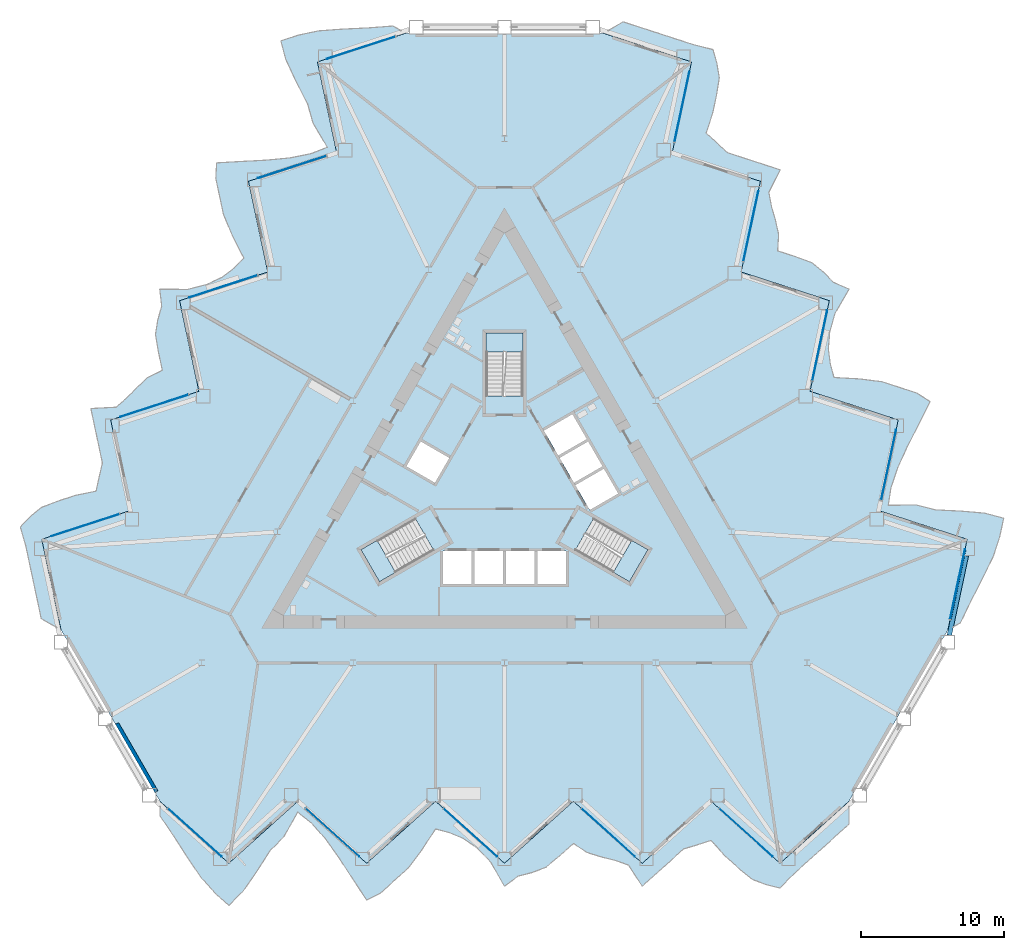
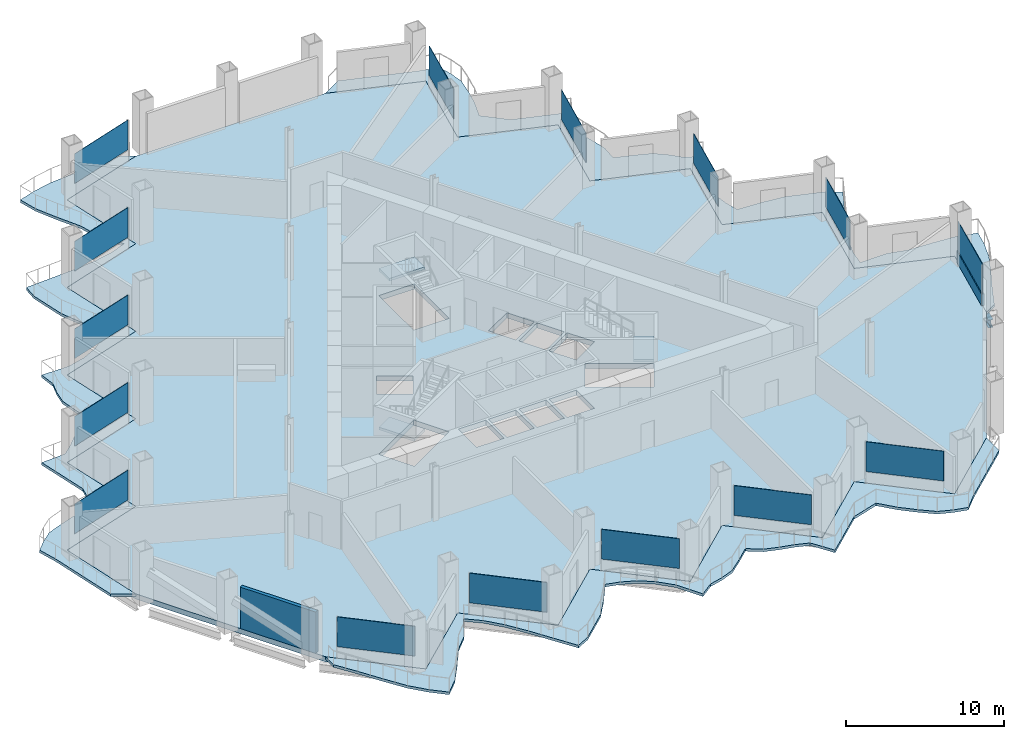
# One storey, part 8 of 20: 15 plates, 7 slabs, 1 beam, 1 member, 1 wall, 18 elements without a shape of their own.
"""IFC4 building model written with IfcOpenShell, lengths in metres."""

from ifc_helpers import new_model, si_unit, direction, frame, frame_2d, origin, origin_2d, place, context, subcontext, project, spatial, polyline, rectangle, i_section, outline, extrude, material, layer, layer_set, material_profile, profile_set, type_object, element, aggregate, save


model = new_model("IFC4")

# Units and contexts
model_context = context("Model", 3, precision=1e-05, world=origin(), true_north=direction((0.0, 1.0)))
body_context = subcontext(model_context, "Body", "Model", "MODEL_VIEW")
ifc_project = project(units=[si_unit("LENGTHUNIT", "METRE"), si_unit("AREAUNIT", "SQUARE_METRE"), si_unit("VOLUMEUNIT", "CUBIC_METRE"), si_unit("PLANEANGLEUNIT", "RADIAN"), si_unit("MASSUNIT", "GRAM", prefix="KILO")], contexts=[model_context])

# Site, building, storey
site_placement = place(None, origin())
site = spatial("IfcSite", under=ifc_project, at=site_placement, CompositionType="ELEMENT")
building_placement = place(site_placement, origin())
building = spatial("IfcBuilding", under=site, at=building_placement, Name="Cormorant Prow Tower", CompositionType="ELEMENT")
storey_placement = place(building_placement, frame((0.0, 0.0, 34.199951171875)))
storey = spatial("IfcBuildingStorey", under=building, at=storey_placement, Name="L06", CompositionType="ELEMENT", Elevation=34.199951171875)

# Curtain wall, member
ifc_material_1 = material(Name="Aluminium 6063-T6", Category="aluminium")
ifc_layer_1 = layer(ifc_material_1, 0.199951171875)
ifc_layer_set_1 = layer_set([ifc_layer_1], Name="Aluminium 6063-T6")
curtain_wall_type = type_object("IfcCurtainWallType", Name="Office unitised curtain wall 200", PredefinedType="NOTDEFINED", material=ifc_layer_set_1)
curtain_wall_1_placement = place(storey_placement, origin())
curtain_wall_1 = element("IfcCurtainWall", 1, at=curtain_wall_1_placement, inside=storey, type_object=curtain_wall_type, Name="Office curtain wall ENE00", PredefinedType="NOTDEFINED")
ifc_material_2 = material(Name="Terracotta", Category="masonry")
ifc_material_profile_1 = material_profile(ifc_material_2, rectangle(XDim=0.159912109375, YDim=0.89990234375, at=origin_2d()), Name="Office terracotta spandrel rail 160x900")
ifc_profile_set_1 = profile_set([ifc_material_profile_1], Name="Terracotta")
member_type = type_object("IfcMemberType", Name="Office terracotta spandrel rail 160x900", PredefinedType="USERDEFINED", material=ifc_profile_set_1)
member_placement = place(storey_placement, frame((31.15869140625, -9.169921875, 0.449951171875), z_axis=(0.20790357337, 0.978149326115, 0.0), x_axis=(-0.978149326115, 0.20790357337, 0.0)))
member = element("IfcMember", 2, at=member_placement, type_object=member_type, Name="Office spandrel rail ENE00", ObjectType="TRANSOM", PredefinedType="USERDEFINED", context=body_context, shape_type="SweptSolid", body=[
    extrude(rectangle(XDim=0.159912109375, YDim=0.89990234375, at=origin_2d()), origin(), (0.0, 0.0, 1.0), 5.0166015625),
])

# Beam
ifc_material_3 = material(Name="Structural steel ASTM A992 Gr 50", Category="steel")
ifc_material_profile_2 = material_profile(ifc_material_3, i_section(OverallWidth=0.32373046875, OverallDepth=0.611083984375, WebThickness=0.0126953125, FlangeThickness=0.01904296875, at=origin_2d()), Name="W24x104")
ifc_profile_set_2 = profile_set([ifc_material_profile_2], Name="Structural steel ASTM A992 Gr 50")
beam_type = type_object("IfcBeamType", Name="Spandrel beam W24x104", PredefinedType="SPANDREL", material=ifc_profile_set_2)
beam_placement = place(storey_placement, frame((31.10400390625, -10.28466796875, -0.70556640625), z_axis=(0.207900376723, 0.97815000555, 0.0), x_axis=(-0.97815000555, 0.207900376723, 0.0)))
element("IfcBeam", 3, at=beam_placement, inside=storey, type_object=beam_type, Name="Spandrel beam SB1 ENE00-ENE01 L06", PredefinedType="SPANDREL", context=body_context, shape_type="SweptSolid", body=[
    extrude(i_section(OverallWidth=0.32373046875, OverallDepth=0.611083984375, WebThickness=0.0126953125, FlangeThickness=0.01904296875, at=origin_2d()), origin(), (0.0, 0.0, 1.0), 5.6826171875),
])

# Slabs
ifc_material_4 = material(Name="Concrete C40/50", Category="concrete")
ifc_layer_2 = layer(ifc_material_4, 0.199951171875)
ifc_layer_set_2 = layer_set([ifc_layer_2], Name="Concrete C40/50")
slab_type_1 = type_object("IfcSlabType", Name="Balcony slab 200", PredefinedType="FLOOR", material=ifc_layer_set_2)
slab_1_placement = place(storey_placement, frame((0.0, 0.0, -0.199951171875)))
element("IfcSlab", 4, at=slab_1_placement, inside=storey, type_object=slab_type_1, Name="Balcony slab S L06", PredefinedType="FLOOR", context=body_context, shape_type="SweptSolid", body=[
    extrude(outline(polyline([(-24.087890625, -21.888671875), (-24.087890625, -22.90478515625), (-23.124267578125, -24.315185546875), (-22.16064453125, -25.812255859375), (-21.197265625, -27.236083984375), (-20.233642578125, -28.308837890625), (-19.270263671875, -29.17626953125), (-18.306640625, -28.2158203125), (-17.34326171875, -26.835205078125), (-16.379638671875, -25.341552734375), (-15.416259765625, -24.356201171875), (-14.45263671875, -22.640380859375), (-13.4892578125, -23.412841796875), (-12.525634765625, -24.50048828125), (-11.56201171875, -25.847900390625), (-10.5986328125, -27.3330078125), (-9.635009765625, -28.799560546875), (-8.671630859375, -28.308837890625), (-7.7080078125, -27.441162109375), (-6.74462890625, -26.57373046875), (-5.781005859375, -25.294921875), (-4.817626953125, -23.82275390625), (-3.85400390625, -24.076904296875), (-2.890625, -24.47802734375), (-1.927001953125, -25.144287109375), (-0.963623046875, -26.127197265625), (0.0, -27.826416015625), (0.963623046875, -27.11669921875), (1.927001953125, -26.87255859375), (2.890625, -26.50634765625), (3.85400390625, -25.706298828125), (4.817626953125, -24.838623046875), (5.781005859375, -25.470703125), (6.74462890625, -25.77294921875), (7.7080078125, -26.01171875), (8.671630859375, -26.346923828125), (9.635009765625, -27.826416015625), (10.5986328125, -26.958740234375), (11.56201171875, -26.09130859375), (12.525634765625, -25.2236328125), (13.4892578125, -24.93115234375), (14.45263671875, -24.623046875), (15.416259765625, -25.706298828125), (16.379638671875, -26.57373046875), (17.34326171875, -27.357177734375), (18.306640625, -27.715576171875), (19.270263671875, -27.9580078125), (20.233642578125, -26.958740234375), (21.197265625, -26.09130859375), (22.16064453125, -25.2236328125), (23.124267578125, -24.356201171875), (24.087890625, -23.488525390625), (24.087890625, -21.888671875), (23.124267578125, -22.756103515625), (22.16064453125, -23.623779296875), (21.197265625, -24.4912109375), (20.233642578125, -25.35888671875), (19.270263671875, -26.226318359375), (18.306640625, -25.35888671875), (17.34326171875, -24.4912109375), (16.379638671875, -23.623779296875), (15.416259765625, -22.756103515625), (14.45263671875, -21.888671875), (13.4892578125, -22.756103515625), (12.525634765625, -23.623779296875), (11.56201171875, -24.4912109375), (10.5986328125, -25.35888671875), (9.635009765625, -26.226318359375), (8.671630859375, -25.35888671875), (7.7080078125, -24.4912109375), (6.74462890625, -23.623779296875), (5.781005859375, -22.756103515625), (4.817626953125, -21.888671875), (3.85400390625, -22.756103515625), (2.890625, -23.623779296875), (1.927001953125, -24.4912109375), (0.963623046875, -25.35888671875), (0.0, -26.226318359375), (-0.963623046875, -25.35888671875), (-1.927001953125, -24.4912109375), (-2.890625, -23.623779296875), (-3.85400390625, -22.756103515625), (-4.817626953125, -21.888671875), (-5.781005859375, -22.756103515625), (-6.74462890625, -23.623779296875), (-7.7080078125, -24.4912109375), (-8.671630859375, -25.35888671875), (-9.635009765625, -26.226318359375), (-10.5986328125, -25.35888671875), (-11.56201171875, -24.4912109375), (-12.525634765625, -23.623779296875), (-13.4892578125, -22.756103515625), (-14.45263671875, -21.888671875), (-15.416259765625, -22.756103515625), (-16.379638671875, -23.623779296875), (-17.34326171875, -24.4912109375), (-18.306640625, -25.35888671875), (-19.270263671875, -26.226318359375), (-20.233642578125, -25.35888671875), (-21.197265625, -24.4912109375), (-22.16064453125, -23.623779296875), (-23.124267578125, -22.756103515625), (-24.087890625, -21.888671875)])), origin(), (0.0, 0.0, 1.0), 0.199951171875),
])
slab_2_placement = place(storey_placement, frame((0.0, 0.0, -0.199951171875)))
element("IfcSlab", 5, at=slab_2_placement, inside=storey, type_object=slab_type_1, Name="Balcony slab ENE L06", PredefinedType="FLOOR", context=body_context, shape_type="SweptSolid", body=[
    extrude(outline(polyline([(31.0, -9.916259765625), (31.8798828125, -9.408203125), (32.61962890625, -7.86865234375), (33.434326171875, -6.28564453125), (34.185791015625, -4.7392578125), (34.633056640625, -3.368408203125), (34.902587890625, -2.100341796875), (33.589111328125, -1.74609375), (31.911376953125, -1.60205078125), (30.136474609375, -1.514404296875), (28.80126953125, -1.172607421875), (26.83349609375, -1.1962890625), (27.020751953125, 0.0244140625), (27.48095703125, 1.40283203125), (28.166015625, 2.910888671875), (28.970458984375, 4.48779296875), (29.758544921875, 6.055419921875), (28.85205078125, 6.64453125), (27.618896484375, 7.045166015625), (26.3857421875, 7.44580078125), (24.796630859375, 7.640869140625), (23.039794921875, 7.7392578125), (22.778076171875, 8.70068359375), (22.643798828125, 9.735595703125), (22.7392578125, 10.9033203125), (23.1083984375, 12.229248046875), (24.098388671875, 13.9130859375), (23.001953125, 14.392822265625), (22.308837890625, 15.105224609375), (21.509765625, 15.75634765625), (20.335205078125, 16.190673828125), (19.10205078125, 16.591552734375), (19.167724609375, 17.741943359375), (18.94775390625, 18.727294921875), (18.6728515625, 19.681396484375), (18.481201171875, 20.683349609375), (19.28076171875, 22.25732421875), (18.047607421875, 22.658203125), (16.814697265625, 23.058837890625), (15.58154296875, 23.45947265625), (14.846435546875, 24.1474609375), (14.097900390625, 24.827880859375), (14.55419921875, 26.203857421875), (14.82373046875, 27.47216796875), (15.0205078125, 28.6982421875), (14.84912109375, 29.7119140625), (14.577392578125, 30.66748046875), (13.230224609375, 31.00244140625), (11.9970703125, 31.403076171875), (10.763916015625, 31.8037109375), (9.531005859375, 32.204345703125), (8.2978515625, 32.60498046875), (6.912109375, 31.804931640625), (8.145263671875, 31.404296875), (9.37841796875, 31.003662109375), (10.611572265625, 30.60302734375), (11.844482421875, 30.202392578125), (13.07763671875, 29.8017578125), (12.80810546875, 28.533447265625), (12.53857421875, 27.265380859375), (12.268798828125, 25.9970703125), (11.999267578125, 24.72900390625), (11.729736328125, 23.460693359375), (12.962890625, 23.06005859375), (14.196044921875, 22.659423828125), (15.428955078125, 22.2587890625), (16.662109375, 21.858154296875), (17.895263671875, 21.45751953125), (17.62548828125, 20.189208984375), (17.35595703125, 18.921142578125), (17.08642578125, 17.65283203125), (16.81689453125, 16.384521484375), (16.54736328125, 15.116455078125), (17.780517578125, 14.7158203125), (19.013427734375, 14.315185546875), (20.24658203125, 13.91455078125), (21.479736328125, 13.513916015625), (22.712646484375, 13.11328125), (22.443115234375, 11.844970703125), (22.173583984375, 10.576904296875), (21.904052734375, 9.30859375), (21.634521484375, 8.040283203125), (21.364990234375, 6.772216796875), (22.597900390625, 6.37158203125), (23.8310546875, 5.970947265625), (25.064208984375, 5.5703125), (26.297119140625, 5.169677734375), (27.5302734375, 4.76904296875), (27.2607421875, 3.500732421875), (26.9912109375, 2.232421875), (26.7216796875, 0.96435546875), (26.451904296875, -0.303955078125), (26.182373046875, -1.572021484375), (27.41552734375, -1.97265625), (28.648681640625, -2.373291015625), (29.881591796875, -2.77392578125), (31.11474609375, -3.174560546875), (32.347900390625, -3.5751953125), (32.078369140625, -4.843505859375), (31.80859375, -6.11181640625), (31.5390625, -7.3798828125), (31.26953125, -8.648193359375), (31.0, -9.916259765625)])), origin(), (0.0, 0.0, 1.0), 0.199951171875),
])
slab_3_placement = place(storey_placement, frame((0.0, 0.0, -0.199951171875)))
element("IfcSlab", 6, at=slab_3_placement, inside=storey, type_object=slab_type_1, Name="Balcony slab WNW L06", PredefinedType="FLOOR", context=body_context, shape_type="SweptSolid", body=[
    extrude(outline(polyline([(-6.912109375, 31.804931640625), (-7.792236328125, 32.31298828125), (-9.49560546875, 32.183837890625), (-11.273681640625, 32.097900390625), (-12.988525390625, 31.975341796875), (-14.3994140625, 31.67724609375), (-15.63232421875, 31.276611328125), (-15.282470703125, 29.962158203125), (-14.568359375, 28.437255859375), (-13.756591796875, 26.85595703125), (-13.385009765625, 25.52880859375), (-12.380859375, 23.836669921875), (-13.531494140625, 23.388427734375), (-14.955322265625, 23.097900390625), (-16.60400390625, 22.93701171875), (-18.371826171875, 22.84521484375), (-20.12353515625, 22.743896484375), (-20.180419921875, 21.664306640625), (-19.910888671875, 20.39599609375), (-19.641357421875, 19.1279296875), (-19.015625, 17.654052734375), (-18.22216796875, 16.08349609375), (-18.924072265625, 15.376220703125), (-19.753173828125, 14.7421875), (-20.812255859375, 14.240966796875), (-22.14501953125, 13.89794921875), (-24.098388671875, 13.9130859375), (-23.965576171875, 12.723876953125), (-24.23583984375, 11.767333984375), (-24.400390625, 10.749755859375), (-24.189208984375, 9.515380859375), (-23.919677734375, 8.247314453125), (-24.948974609375, 7.728759765625), (-25.692138671875, 7.04541015625), (-26.380859375, 6.33056640625), (-27.15283203125, 5.66357421875), (-28.916015625, 5.56884765625), (-28.646240234375, 4.30078125), (-28.376708984375, 3.032470703125), (-28.107177734375, 1.764404296875), (-28.33544921875, 0.78369140625), (-28.550537109375, -0.204833984375), (-29.97021484375, -0.497802734375), (-31.203369140625, -0.8984375), (-32.36376953125, -1.341064453125), (-33.15576171875, -1.996337890625), (-33.847412109375, -2.70947265625), (-33.4638671875, -4.04345703125), (-33.1943359375, -5.311767578125), (-32.9248046875, -6.579833984375), (-32.6552734375, -7.84814453125), (-32.3857421875, -9.1162109375), (-31.0, -9.916259765625), (-31.26953125, -8.648193359375), (-31.5390625, -7.3798828125), (-31.80859375, -6.11181640625), (-32.078369140625, -4.843505859375), (-32.347900390625, -3.5751953125), (-31.11474609375, -3.174560546875), (-29.881591796875, -2.77392578125), (-28.648681640625, -2.373291015625), (-27.41552734375, -1.97265625), (-26.182373046875, -1.572021484375), (-26.451904296875, -0.303955078125), (-26.7216796875, 0.96435546875), (-26.9912109375, 2.232421875), (-27.2607421875, 3.500732421875), (-27.5302734375, 4.76904296875), (-26.297119140625, 5.169677734375), (-25.064208984375, 5.5703125), (-23.8310546875, 5.970947265625), (-22.597900390625, 6.37158203125), (-21.364990234375, 6.772216796875), (-21.634521484375, 8.040283203125), (-21.904052734375, 9.30859375), (-22.173583984375, 10.576904296875), (-22.443115234375, 11.844970703125), (-22.712646484375, 13.11328125), (-21.479736328125, 13.513916015625), (-20.24658203125, 13.91455078125), (-19.013427734375, 14.315185546875), (-17.780517578125, 14.7158203125), (-16.54736328125, 15.116455078125), (-16.81689453125, 16.384521484375), (-17.08642578125, 17.65283203125), (-17.35595703125, 18.921142578125), (-17.62548828125, 20.189208984375), (-17.895263671875, 21.45751953125), (-16.662109375, 21.858154296875), (-15.428955078125, 22.2587890625), (-14.196044921875, 22.659423828125), (-12.962890625, 23.06005859375), (-11.729736328125, 23.460693359375), (-11.999267578125, 24.72900390625), (-12.268798828125, 25.9970703125), (-12.53857421875, 27.265380859375), (-12.80810546875, 28.533447265625), (-13.07763671875, 29.8017578125), (-11.844482421875, 30.202392578125), (-10.611572265625, 30.60302734375), (-9.37841796875, 31.003662109375), (-8.145263671875, 31.404296875), (-6.912109375, 31.804931640625)])), origin(), (0.0, 0.0, 1.0), 0.199951171875),
])

# Curtain wall, plate
curtain_wall_2_placement = place(storey_placement, origin())
curtain_wall_2 = element("IfcCurtainWall", 7, at=curtain_wall_2_placement, inside=storey, type_object=curtain_wall_type, Name="Office curtain wall S00", PredefinedType="NOTDEFINED")
ifc_material_5 = material(Name="Clear glass", Category="glass")
ifc_layer_3 = layer(ifc_material_5, 0.031982421875)
ifc_layer_set_3 = layer_set([ifc_layer_3], Name="Clear glass")
plate_type = type_object("IfcPlateType", Name="Office glass panel 32", PredefinedType="CURTAIN_PANEL", material=ifc_layer_set_3)
plate_1_placement = place(storey_placement, frame((-21.65673828125, -24.07763671875, 0.89990234375), z_axis=(0.0, 0.0, 1.0), x_axis=(0.743144833547, -0.669130597396, 0.0)))
plate_1 = element("IfcPlate", 8, at=plate_1_placement, type_object=plate_type, Name="Office glass panel S00", PredefinedType="CURTAIN_PANEL", context=body_context, shape_type="SweptSolid", body=[
    extrude(rectangle(XDim=5.0166015625, YDim=0.031982421875, at=origin_2d()), origin(), (0.0, 0.0, 1.0), 2.288818359375),
])
aggregate(curtain_wall_2, [plate_1])

curtain_wall_3_placement = place(storey_placement, origin())
curtain_wall_3 = element("IfcCurtainWall", 9, at=curtain_wall_3_placement, inside=storey, type_object=curtain_wall_type, Name="Office curtain wall S02", PredefinedType="NOTDEFINED")
plate_2_placement = place(storey_placement, frame((-12.021484375, -24.07763671875, 0.89990234375), z_axis=(0.0, 0.0, 1.0), x_axis=(0.743144902614, -0.66913052069, 0.0)))
plate_2 = element("IfcPlate", 10, at=plate_2_placement, type_object=plate_type, Name="Office glass panel S02", PredefinedType="CURTAIN_PANEL", context=body_context, shape_type="SweptSolid", body=[
    extrude(rectangle(XDim=5.0166015625, YDim=0.031982421875, at=origin_2d()), origin(), (0.0, 0.0, 1.0), 2.288818359375),
])
aggregate(curtain_wall_3, [plate_2])

curtain_wall_4_placement = place(storey_placement, origin())
curtain_wall_4 = element("IfcCurtainWall", 11, at=curtain_wall_4_placement, inside=storey, type_object=curtain_wall_type, Name="Office curtain wall S04", PredefinedType="NOTDEFINED")
plate_3_placement = place(storey_placement, frame((-2.386474609375, -24.07763671875, 0.89990234375), z_axis=(0.0, 0.0, 1.0), x_axis=(0.743144833547, -0.669130597396, 0.0)))
plate_3 = element("IfcPlate", 12, at=plate_3_placement, type_object=plate_type, Name="Office glass panel S04", PredefinedType="CURTAIN_PANEL", context=body_context, shape_type="SweptSolid", body=[
    extrude(rectangle(XDim=5.0166015625, YDim=0.031982421875, at=origin_2d()), origin(), (0.0, 0.0, 1.0), 2.288818359375),
])
aggregate(curtain_wall_4, [plate_3])

curtain_wall_5_placement = place(storey_placement, origin())
curtain_wall_5 = element("IfcCurtainWall", 13, at=curtain_wall_5_placement, inside=storey, type_object=curtain_wall_type, Name="Office curtain wall S06", PredefinedType="NOTDEFINED")
plate_4_placement = place(storey_placement, frame((7.24853515625, -24.07763671875, 0.89990234375), z_axis=(0.0, 0.0, 1.0), x_axis=(0.743144833547, -0.669130597396, 0.0)))
plate_4 = element("IfcPlate", 14, at=plate_4_placement, type_object=plate_type, Name="Office glass panel S06", PredefinedType="CURTAIN_PANEL", context=body_context, shape_type="SweptSolid", body=[
    extrude(rectangle(XDim=5.0166015625, YDim=0.031982421875, at=origin_2d()), origin(), (0.0, 0.0, 1.0), 2.288818359375),
])
aggregate(curtain_wall_5, [plate_4])

curtain_wall_6_placement = place(storey_placement, origin())
curtain_wall_6 = element("IfcCurtainWall", 15, at=curtain_wall_6_placement, inside=storey, type_object=curtain_wall_type, Name="Office curtain wall S08", PredefinedType="NOTDEFINED")
plate_5_placement = place(storey_placement, frame((16.8837890625, -24.07763671875, 0.89990234375), z_axis=(0.0, 0.0, 1.0), x_axis=(0.743144833547, -0.669130597396, 0.0)))
plate_5 = element("IfcPlate", 16, at=plate_5_placement, type_object=plate_type, Name="Office glass panel S08", PredefinedType="CURTAIN_PANEL", context=body_context, shape_type="SweptSolid", body=[
    extrude(rectangle(XDim=5.0166015625, YDim=0.031982421875, at=origin_2d()), origin(), (0.0, 0.0, 1.0), 2.288818359375),
])
aggregate(curtain_wall_6, [plate_5])

# Plate
plate_6_placement = place(storey_placement, frame((31.68017578125, -6.716552734375, 0.89990234375), z_axis=(0.0, 0.0, 1.0), x_axis=(0.207911761683, 0.978147585671, 0.0)))
plate_6 = element("IfcPlate", 17, at=plate_6_placement, type_object=plate_type, Name="Office glass panel ENE00", PredefinedType="CURTAIN_PANEL", context=body_context, shape_type="SweptSolid", body=[
    extrude(rectangle(XDim=5.0166015625, YDim=0.031982421875, at=origin_2d()), origin(), (0.0, 0.0, 1.0), 2.288818359375),
])

aggregate(curtain_wall_1, [member, plate_6])

# Curtain wall, plate
curtain_wall_7_placement = place(storey_placement, origin())
curtain_wall_7 = element("IfcCurtainWall", 18, at=curtain_wall_7_placement, inside=storey, type_object=curtain_wall_type, Name="Office curtain wall ENE02", PredefinedType="NOTDEFINED")
plate_7_placement = place(storey_placement, frame((26.862548828125, 1.627685546875, 0.89990234375), z_axis=(0.0, 0.0, 1.0), x_axis=(0.207911614097, 0.978147617041, 0.0)))
plate_7 = element("IfcPlate", 19, at=plate_7_placement, type_object=plate_type, Name="Office glass panel ENE02", PredefinedType="CURTAIN_PANEL", context=body_context, shape_type="SweptSolid", body=[
    extrude(rectangle(XDim=5.0166015625, YDim=0.031982421875, at=origin_2d()), origin(), (0.0, 0.0, 1.0), 2.288818359375),
])
aggregate(curtain_wall_7, [plate_7])

curtain_wall_8_placement = place(storey_placement, origin())
curtain_wall_8 = element("IfcCurtainWall", 20, at=curtain_wall_8_placement, inside=storey, type_object=curtain_wall_type, Name="Office curtain wall ENE04", PredefinedType="NOTDEFINED")
plate_8_placement = place(storey_placement, frame((22.044921875, 9.971923828125, 0.89990234375), z_axis=(0.0, 0.0, 1.0), x_axis=(0.207911614097, 0.978147617041, 0.0)))
plate_8 = element("IfcPlate", 21, at=plate_8_placement, type_object=plate_type, Name="Office glass panel ENE04", PredefinedType="CURTAIN_PANEL", context=body_context, shape_type="SweptSolid", body=[
    extrude(rectangle(XDim=5.0166015625, YDim=0.031982421875, at=origin_2d()), origin(), (0.0, 0.0, 1.0), 2.288818359375),
])
aggregate(curtain_wall_8, [plate_8])

curtain_wall_9_placement = place(storey_placement, origin())
curtain_wall_9 = element("IfcCurtainWall", 22, at=curtain_wall_9_placement, inside=storey, type_object=curtain_wall_type, Name="Office curtain wall ENE06", PredefinedType="NOTDEFINED")
plate_9_placement = place(storey_placement, frame((17.2275390625, 18.31640625, 0.89990234375), z_axis=(0.0, 0.0, 1.0), x_axis=(0.207911761683, 0.978147585671, 0.0)))
plate_9 = element("IfcPlate", 23, at=plate_9_placement, type_object=plate_type, Name="Office glass panel ENE06", PredefinedType="CURTAIN_PANEL", context=body_context, shape_type="SweptSolid", body=[
    extrude(rectangle(XDim=5.0166015625, YDim=0.031982421875, at=origin_2d()), origin(), (0.0, 0.0, 1.0), 2.288818359375),
])
aggregate(curtain_wall_9, [plate_9])

curtain_wall_10_placement = place(storey_placement, origin())
curtain_wall_10 = element("IfcCurtainWall", 24, at=curtain_wall_10_placement, inside=storey, type_object=curtain_wall_type, Name="Office curtain wall ENE08", PredefinedType="NOTDEFINED")
plate_10_placement = place(storey_placement, frame((12.409912109375, 26.66064453125, 0.89990234375), z_axis=(0.0, 0.0, 1.0), x_axis=(0.207911761683, 0.978147585671, 0.0)))
plate_10 = element("IfcPlate", 25, at=plate_10_placement, type_object=plate_type, Name="Office glass panel ENE08", PredefinedType="CURTAIN_PANEL", context=body_context, shape_type="SweptSolid", body=[
    extrude(rectangle(XDim=5.0166015625, YDim=0.031982421875, at=origin_2d()), origin(), (0.0, 0.0, 1.0), 2.288818359375),
])
aggregate(curtain_wall_10, [plate_10])

curtain_wall_11_placement = place(storey_placement, origin())
curtain_wall_11 = element("IfcCurtainWall", 26, at=curtain_wall_11_placement, inside=storey, type_object=curtain_wall_type, Name="Office curtain wall WNW00", PredefinedType="NOTDEFINED")
plate_11_placement = place(storey_placement, frame((-10.0234375, 30.7939453125, 0.89990234375), z_axis=(0.0, 0.0, 1.0), x_axis=(-0.951056551303, -0.30901688663, 0.0)))
plate_11 = element("IfcPlate", 27, at=plate_11_placement, type_object=plate_type, Name="Office glass panel WNW00", PredefinedType="CURTAIN_PANEL", context=body_context, shape_type="SweptSolid", body=[
    extrude(rectangle(XDim=5.0166015625, YDim=0.031982421875, at=origin_2d()), origin(), (0.0, 0.0, 1.0), 2.288818359375),
])
aggregate(curtain_wall_11, [plate_11])

curtain_wall_12_placement = place(storey_placement, origin())
curtain_wall_12 = element("IfcCurtainWall", 28, at=curtain_wall_12_placement, inside=storey, type_object=curtain_wall_type, Name="Office curtain wall WNW02", PredefinedType="NOTDEFINED")
plate_12_placement = place(storey_placement, frame((-14.841064453125, 22.44970703125, 0.89990234375), z_axis=(0.0, 0.0, 1.0), x_axis=(-0.951056505967, -0.309017026162, 0.0)))
plate_12 = element("IfcPlate", 29, at=plate_12_placement, type_object=plate_type, Name="Office glass panel WNW02", PredefinedType="CURTAIN_PANEL", context=body_context, shape_type="SweptSolid", body=[
    extrude(rectangle(XDim=5.0166015625, YDim=0.031982421875, at=origin_2d()), origin(), (0.0, 0.0, 1.0), 2.288818359375),
])
aggregate(curtain_wall_12, [plate_12])

curtain_wall_13_placement = place(storey_placement, origin())
curtain_wall_13 = element("IfcCurtainWall", 30, at=curtain_wall_13_placement, inside=storey, type_object=curtain_wall_type, Name="Office curtain wall WNW04", PredefinedType="NOTDEFINED")
plate_13_placement = place(storey_placement, frame((-19.658447265625, 14.10546875, 0.89990234375), z_axis=(0.0, 0.0, 1.0), x_axis=(-0.951056505967, -0.309017026162, 0.0)))
plate_13 = element("IfcPlate", 31, at=plate_13_placement, type_object=plate_type, Name="Office glass panel WNW04", PredefinedType="CURTAIN_PANEL", context=body_context, shape_type="SweptSolid", body=[
    extrude(rectangle(XDim=5.0166015625, YDim=0.031982421875, at=origin_2d()), origin(), (0.0, 0.0, 1.0), 2.288818359375),
])
aggregate(curtain_wall_13, [plate_13])

curtain_wall_14_placement = place(storey_placement, origin())
curtain_wall_14 = element("IfcCurtainWall", 32, at=curtain_wall_14_placement, inside=storey, type_object=curtain_wall_type, Name="Office curtain wall WNW06", PredefinedType="NOTDEFINED")
plate_14_placement = place(storey_placement, frame((-24.47607421875, 5.76123046875, 0.89990234375), z_axis=(0.0, 0.0, 1.0), x_axis=(-0.951056536569, -0.309016931979, 0.0)))
plate_14 = element("IfcPlate", 33, at=plate_14_placement, type_object=plate_type, Name="Office glass panel WNW06", PredefinedType="CURTAIN_PANEL", context=body_context, shape_type="SweptSolid", body=[
    extrude(rectangle(XDim=5.0166015625, YDim=0.031982421875, at=origin_2d()), origin(), (0.0, 0.0, 1.0), 2.288818359375),
])
aggregate(curtain_wall_14, [plate_14])

curtain_wall_15_placement = place(storey_placement, origin())
curtain_wall_15 = element("IfcCurtainWall", 34, at=curtain_wall_15_placement, inside=storey, type_object=curtain_wall_type, Name="Office curtain wall WNW08", PredefinedType="NOTDEFINED")
plate_15_placement = place(storey_placement, frame((-29.293701171875, -2.5830078125, 0.89990234375), z_axis=(0.0, 0.0, 1.0), x_axis=(-0.951056505967, -0.309017026162, 0.0)))
plate_15 = element("IfcPlate", 35, at=plate_15_placement, type_object=plate_type, Name="Office glass panel WNW08", PredefinedType="CURTAIN_PANEL", context=body_context, shape_type="SweptSolid", body=[
    extrude(rectangle(XDim=5.0166015625, YDim=0.031982421875, at=origin_2d()), origin(), (0.0, 0.0, 1.0), 2.288818359375),
])
aggregate(curtain_wall_15, [plate_15])

# Slab
ifc_material_6 = material(Name="Concrete C40/50", Category="concrete")
ifc_layer_4 = layer(ifc_material_6, 0.39990234375)
ifc_layer_set_4 = layer_set([ifc_layer_4], Name="Concrete C40/50")
slab_type_2 = type_object("IfcSlabType", Name="Post-tensioned flat slab 400", PredefinedType="FLOOR", material=ifc_layer_set_4)
slab_4_placement = place(storey_placement, frame((0.0, 0.0, -0.39990234375)))
element("IfcSlab", 36, at=slab_4_placement, inside=storey, type_object=slab_type_2, Name="Floor slab L06", PredefinedType="FLOOR", context=body_context, shape_type="SweptSolid", body=[
    extrude(outline(polyline([(-13.07763671875, 29.8017578125), (-11.729736328125, 23.460693359375), (-17.895263671875, 21.45751953125), (-16.54736328125, 15.116455078125), (-22.712646484375, 13.11328125), (-21.364990234375, 6.772216796875), (-27.5302734375, 4.76904296875), (-26.182373046875, -1.572021484375), (-32.347900390625, -3.5751953125), (-31.0, -9.916259765625), (-27.5439453125, -15.902587890625), (-24.087890625, -21.888671875), (-19.270263671875, -26.226318359375), (-14.45263671875, -21.888671875), (-9.635009765625, -26.226318359375), (-4.817626953125, -21.888671875), (0.0, -26.226318359375), (4.817626953125, -21.888671875), (9.635009765625, -26.226318359375), (14.45263671875, -21.888671875), (19.270263671875, -26.226318359375), (24.087890625, -21.888671875), (27.5439453125, -15.902587890625), (31.0, -9.916259765625), (32.347900390625, -3.5751953125), (26.182373046875, -1.572021484375), (27.5302734375, 4.76904296875), (21.364990234375, 6.772216796875), (22.712646484375, 13.11328125), (16.54736328125, 15.116455078125), (17.895263671875, 21.45751953125), (11.729736328125, 23.460693359375), (13.07763671875, 29.8017578125), (6.912109375, 31.804931640625), (0.0, 31.804931640625), (-6.912109375, 31.804931640625), (-13.07763671875, 29.8017578125)]), holes=[polyline([(-4.300048828125, -6.699951171875), (-4.300048828125, -4.39990234375), (-2.300048828125, -4.39990234375), (-2.300048828125, -6.699951171875), (-4.300048828125, -6.699951171875)]), polyline([(-2.10009765625, -4.39990234375), (-0.10009765625, -4.39990234375), (-0.10009765625, -6.699951171875), (-2.10009765625, -6.699951171875), (-2.10009765625, -4.39990234375)]), polyline([(2.10009765625, -4.39990234375), (2.10009765625, -6.699951171875), (0.10009765625, -6.699951171875), (0.10009765625, -4.39990234375), (2.10009765625, -4.39990234375)]), polyline([(4.300048828125, -6.699951171875), (2.300048828125, -6.699951171875), (2.300048828125, -4.39990234375), (4.300048828125, -4.39990234375), (4.300048828125, -6.699951171875)]), polyline([(7.952392578125, -0.373779296875), (5.96044921875, -1.52392578125), (4.96044921875, 0.2080078125), (6.952392578125, 1.358154296875), (7.952392578125, -0.373779296875)]), polyline([(4.860595703125, 0.38134765625), (3.860595703125, 2.11328125), (5.852294921875, 3.263427734375), (6.852294921875, 1.53125), (4.860595703125, 0.38134765625)]), polyline([(2.760498046875, 4.018798828125), (4.75244140625, 5.168701171875), (5.75244140625, 3.4365234375), (3.760498046875, 2.28662109375), (2.760498046875, 4.018798828125)]), polyline([(-6.852294921875, 1.53125), (-5.852294921875, 3.263427734375), (-3.860595703125, 2.11328125), (-4.860595703125, 0.38134765625), (-6.852294921875, 1.53125)]), polyline([(-4.947509765625, -4.3505859375), (-8.738037109375, -6.5390625), (-10.031982421875, -4.2978515625), (-6.241455078125, -2.109375), (-4.947509765625, -4.3505859375)]), polyline([(10.031982421875, -4.2978515625), (8.738037109375, -6.5390625), (4.947509765625, -4.3505859375), (6.241455078125, -2.109375), (10.031982421875, -4.2978515625)]), polyline([(1.2939453125, 10.8369140625), (1.2939453125, 6.459716796875), (-1.2939453125, 6.459716796875), (-1.2939453125, 10.8369140625), (1.2939453125, 10.8369140625)])]), origin(), (0.0, 0.0, 1.0), 0.39990234375),
])

# Stair, slab
ifc_material_7 = material(Name="Exit stair 24 risers")
stair_type = type_object("IfcStairType", Name="Exit stair 24 risers", PredefinedType="HALF_TURN_STAIR", material=ifc_material_7)
stair_1_placement = place(storey_placement, origin())
stair_1 = element("IfcStair", 37, at=stair_1_placement, inside=storey, type_object=stair_type, Name="L06 Exit stair ST1", PredefinedType="HALF_TURN_STAIR")
ifc_material_8 = material(Name="Concrete 5000 psi", Category="concrete")
ifc_layer_5 = layer(ifc_material_8, 0.199951171875)
ifc_layer_set_5 = layer_set([ifc_layer_5], Name="Concrete 5000 psi")
slab_type_3 = type_object("IfcSlabType", Name="Stair landing 200", PredefinedType="LANDING", material=ifc_layer_set_5)
slab_5_placement = place(storey_placement, frame((0.0, 0.0, 1.900146484375)))
slab_5 = element("IfcSlab", 38, at=slab_5_placement, type_object=slab_type_3, Name="ST1 landing 1", PredefinedType="LANDING", context=body_context, shape_type="SweptSolid", body=[
    extrude(outline(polyline([(-8.90185546875, -3.645263671875), (-10.031982421875, -4.2978515625), (-8.738037109375, -6.5390625), (-7.60791015625, -5.886474609375), (-8.90185546875, -3.645263671875)])), origin(), (0.0, 0.0, 1.0), 0.199951171875),
])
aggregate(stair_1, [slab_5])

stair_2_placement = place(storey_placement, origin())
stair_2 = element("IfcStair", 39, at=stair_2_placement, inside=storey, type_object=stair_type, Name="L06 Exit stair ST2", PredefinedType="HALF_TURN_STAIR")
slab_6_placement = place(storey_placement, frame((0.0, 0.0, 1.900146484375)))
slab_6 = element("IfcSlab", 40, at=slab_6_placement, type_object=slab_type_3, Name="ST2 landing 1", PredefinedType="LANDING", context=body_context, shape_type="SweptSolid", body=[
    extrude(outline(polyline([(7.60791015625, -5.886474609375), (8.738037109375, -6.5390625), (10.031982421875, -4.2978515625), (8.90185546875, -3.645263671875), (7.60791015625, -5.886474609375)])), origin(), (0.0, 0.0, 1.0), 0.199951171875),
])
aggregate(stair_2, [slab_6])

stair_3_placement = place(storey_placement, origin())
stair_3 = element("IfcStair", 41, at=stair_3_placement, inside=storey, type_object=stair_type, Name="L06 Exit stair ST3", PredefinedType="HALF_TURN_STAIR")
slab_7_placement = place(storey_placement, frame((0.0, 0.0, 1.900146484375)))
slab_7 = element("IfcSlab", 42, at=slab_7_placement, type_object=slab_type_3, Name="ST3 landing 1", PredefinedType="LANDING", context=body_context, shape_type="SweptSolid", body=[
    extrude(outline(polyline([(1.2939453125, 9.53173828125), (1.2939453125, 10.8369140625), (-1.2939453125, 10.8369140625), (-1.2939453125, 9.53173828125), (1.2939453125, 9.53173828125)])), origin(), (0.0, 0.0, 1.0), 0.199951171875),
])
aggregate(stair_3, [slab_7])

# Wall
ifc_material_9 = material(Name="Terracotta", Category="masonry")
ifc_layer_6 = layer(ifc_material_9, 0.25)
ifc_layer_set_6 = layer_set([ifc_layer_6], Name="Terracotta")
wall_type = type_object("IfcWallType", Name="Terracotta bay wall 250", PredefinedType="SOLIDWALL", material=ifc_layer_set_6)
wall_placement = place(storey_placement, frame((-27.084228515625, -16.44873046875, 0.0), z_axis=(0.0, 0.0, 1.0), x_axis=(0.500006469283, -0.86602166871, 0.0)))
element("IfcWall", 43, at=wall_placement, inside=storey, type_object=wall_type, Name="Terracotta bay wall WSW01", PredefinedType="SOLIDWALL", context=body_context, shape_type="SweptSolid", body=[
    extrude(rectangle(XDim=5.50634765625, YDim=0.25, at=frame_2d((2.753173828125, 0.0))), origin(), (0.0, 0.0, 1.0), 3.18896484375),
])

save(model, "model.ifc")
